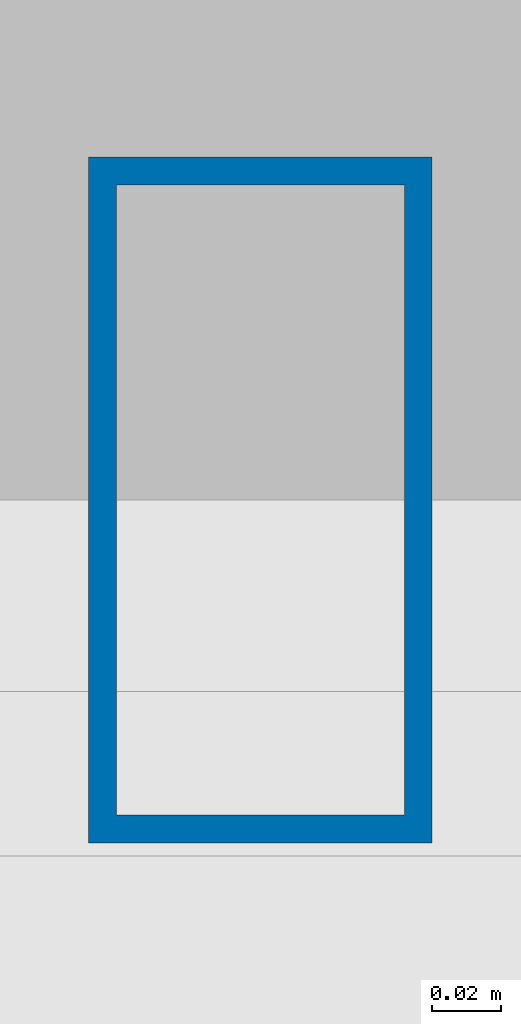
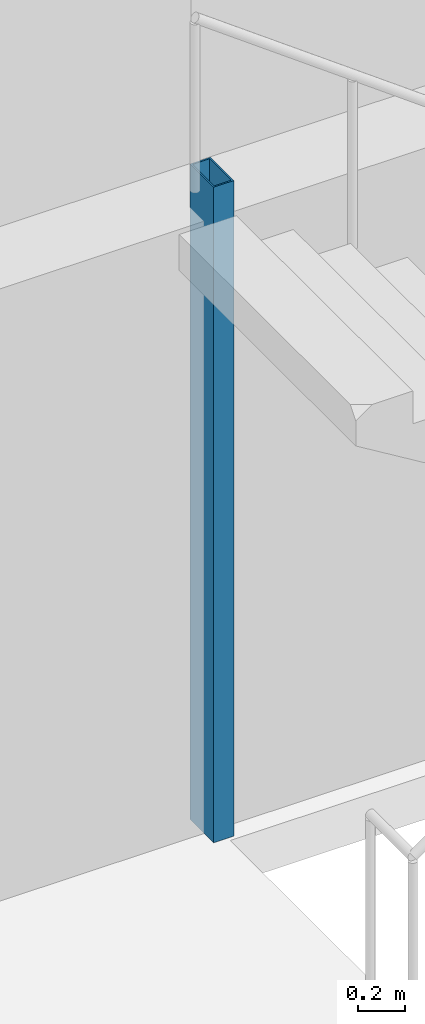
# One storey, part 2 of 19: 1 column.
"""IFC4 building model written with IfcOpenShell, lengths in metres."""

from ifc_helpers import new_model, si_unit, direction, frame, origin, origin_2d, place, context, subcontext, project, spatial, hollow_rectangle, extrude, material, material_profile, profile_set, type_object, element, save


model = new_model("IFC4")

# Units and contexts
model_context = context("Model", 3, precision=1e-05, world=origin(), true_north=direction((0.0, 1.0)))
body_context = subcontext(model_context, "Body", "Model", "MODEL_VIEW")
ifc_project = project(units=[si_unit("LENGTHUNIT", "METRE"), si_unit("AREAUNIT", "SQUARE_METRE"), si_unit("VOLUMEUNIT", "CUBIC_METRE"), si_unit("PLANEANGLEUNIT", "RADIAN"), si_unit("MASSUNIT", "GRAM", prefix="KILO")], contexts=[model_context])

# Site, building, storey
site_placement = place(None, origin())
site = spatial("IfcSite", under=ifc_project, at=site_placement, CompositionType="ELEMENT")
building_placement = place(site_placement, origin())
building = spatial("IfcBuilding", under=site, at=building_placement, Name="Menara Jurai Vektor", CompositionType="ELEMENT")
storey_placement = place(building_placement, frame((0.0, 0.0, 182.0)))
storey = spatial("IfcBuildingStorey", under=building, at=storey_placement, Name="L47", CompositionType="ELEMENT", Elevation=182.0)

# Column
ifc_material = material(Name="Steel S355", Category="steel")
ifc_material_profile = material_profile(ifc_material, hollow_rectangle(XDim=0.10009765625, YDim=0.199951171875, WallThickness=0.008056640625, at=origin_2d()), Name="RHS 200x100x8")
ifc_profile_set = profile_set([ifc_material_profile], Name="Steel S355")
column_type = type_object("IfcColumnType", Name="STR-COL-STAIR", PredefinedType="COLUMN", material=ifc_profile_set)
column_placement = place(storey_placement, frame((-11.1201171875, 5.419921875, 0.0), z_axis=(0.0, 0.0, 1.0), x_axis=(1.0, 0.0, 0.0)))
element("IfcColumn", 1, at=column_placement, inside=storey, type_object=column_type, Name="Stair Well Header Column ST1-P2 L47", PredefinedType="COLUMN", context=body_context, shape_type="SweptSolid", body=[
    extrude(hollow_rectangle(XDim=0.10009765625, YDim=0.199951171875, WallThickness=0.008056640625, at=origin_2d()), origin(), (0.0, 0.0, 1.0), 3.39990234375),
])

save(model, "model.ifc")
